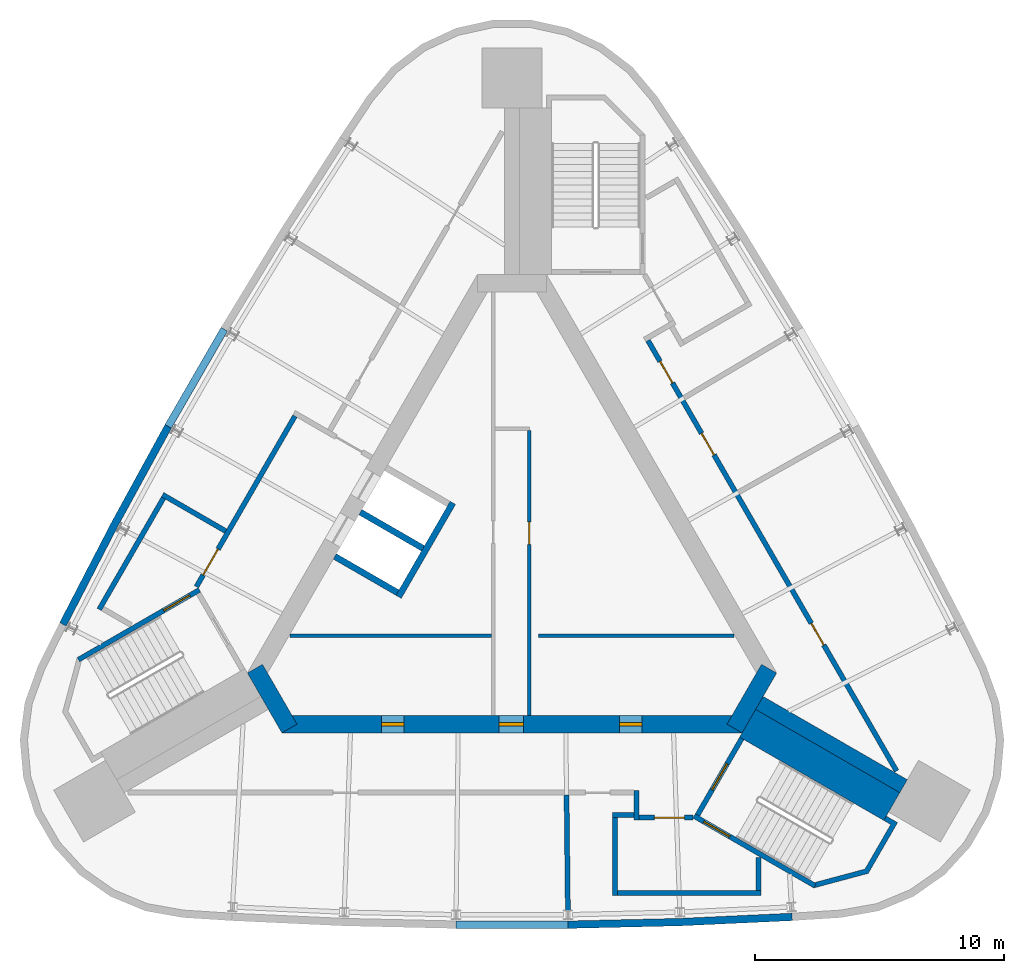
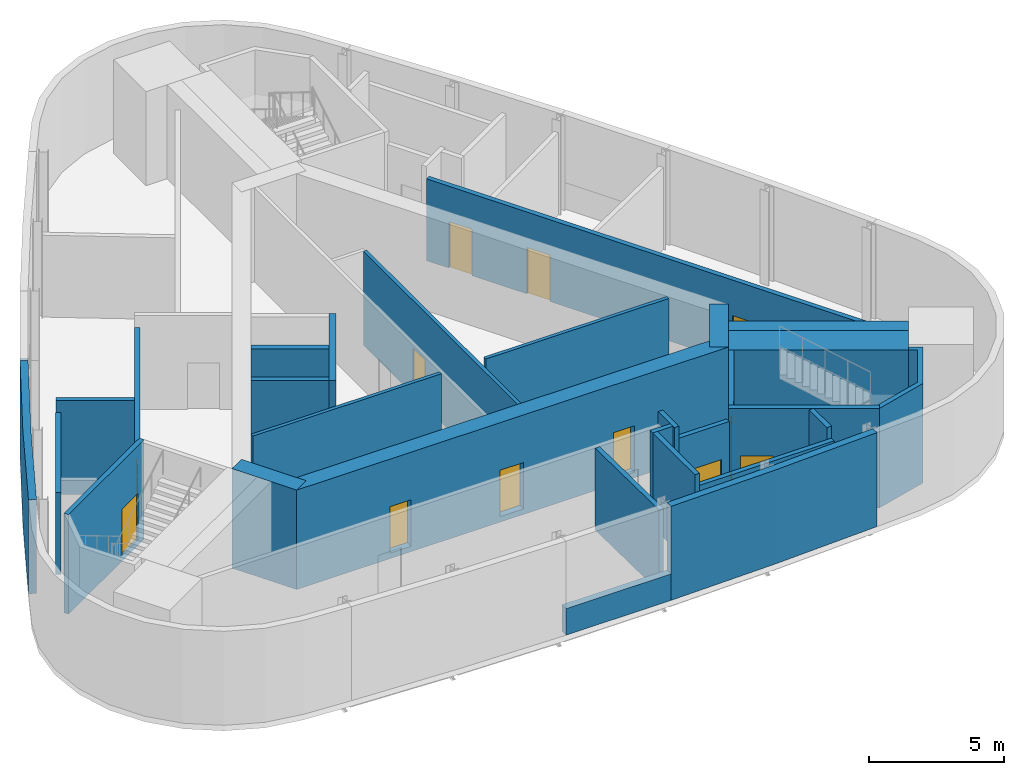
# One storey, part 4 of 7: 30 walls, 12 doors, 12 openings.
"""IFC4 building model written with IfcOpenShell, lengths in metres."""

from ifc_helpers import new_model, si_unit, direction, frame, frame_2d, origin, place, context, subcontext, project, spatial, polyline, rectangle, outline, extrude, material, layer, layer_set, type_object, element, fill, save


model = new_model("IFC4")

# Units and contexts
model_context = context("Model", 3, precision=1e-05, world=origin(), true_north=direction((0.0, 1.0)))
body_context = subcontext(model_context, "Body", "Model", "MODEL_VIEW")
ifc_project = project(units=[si_unit("LENGTHUNIT", "METRE"), si_unit("AREAUNIT", "SQUARE_METRE"), si_unit("VOLUMEUNIT", "CUBIC_METRE"), si_unit("PLANEANGLEUNIT", "RADIAN"), si_unit("MASSUNIT", "GRAM", prefix="KILO")], contexts=[model_context])

# Site, building, storey
site_placement = place(None, origin())
site = spatial("IfcSite", under=ifc_project, at=site_placement, CompositionType="ELEMENT")
building_placement = place(site_placement, origin())
building = spatial("IfcBuilding", under=site, at=building_placement, Name="Noor Cloister Tower", CompositionType="ELEMENT")
storey_placement = place(building_placement, frame((0.0, 0.0, 302.10009765625)))
storey = spatial("IfcBuildingStorey", under=building, at=storey_placement, Name="L76", CompositionType="ELEMENT", Elevation=302.10009765625)

# Walls
ifc_material_1 = material(Name="Concrete C50/60", Category="concrete")
ifc_layer_1 = layer(ifc_material_1, 0.60009765625)
ifc_layer_set_1 = layer_set([ifc_layer_1], Name="Buttress wall 600 C50/60")
wall_type_1 = type_object("IfcWallType", Name="Buttress wall 600 C50/60", PredefinedType="SHEAR", material=ifc_layer_set_1)
wall_1_placement = place(storey_placement, frame((9.921630859375, -5.728271484375, -0.25), z_axis=(0.0, 0.0, 1.0), x_axis=(0.866032176823, -0.499988268569, 0.0)))
element("IfcWall", 1, at=wall_1_placement, inside=storey, type_object=wall_type_1, Name="Buttress wall SE L76", PredefinedType="SHEAR", context=body_context, shape_type="SweptSolid", body=[
    extrude(rectangle(XDim=6.678466796875, YDim=0.60009765625, at=frame_2d((3.33935546875, 0.0))), origin(), (0.0, 0.0, 1.0), 4.5),
])
ifc_material_2 = material(Name="Concrete C30/37", Category="concrete")
ifc_layer_2 = layer(ifc_material_2, 0.14990234375)
ifc_layer_set_2 = layer_set([ifc_layer_2], Name="Core partition 150 C30/37")
wall_type_2 = type_object("IfcWallType", Name="Core partition 150 C30/37", PredefinedType="PARTITIONING", material=ifc_layer_set_2)
wall_2_placement = place(storey_placement, frame((-8.89501953125, -3.0283203125, 0.0), z_axis=(0.0, 0.0, 1.0), x_axis=(1.0, 0.0, 0.0)))
element("IfcWall", 2, at=wall_2_placement, inside=storey, type_object=wall_type_2, Name="Core room partition L76 1", PredefinedType="PARTITIONING", context=body_context, shape_type="SweptSolid", body=[
    extrude(rectangle(XDim=8.06640625, YDim=0.14990234375, at=frame_2d((4.033203125, 0.0))), origin(), (0.0, 0.0, 1.0), 4.25),
])

# Wall, opening, door
wall_3_placement = place(storey_placement, frame((0.6962890625, 5.19677734375, 0.0), z_axis=(0.0, 0.0, 1.0), x_axis=(0.0, -1.0, 0.0)))
wall_3 = element("IfcWall", 3, at=wall_3_placement, inside=storey, type_object=wall_type_2, Name="Core room partition L76 4", PredefinedType="PARTITIONING", context=body_context, shape_type="SweptSolid", body=[
    extrude(rectangle(XDim=11.425048828125, YDim=0.14990234375, at=frame_2d((5.71240234375, 0.0))), origin(), (0.0, 0.0, 1.0), 4.25),
])
opening_1_placement = place(wall_3_placement, frame((3.66357421875, 0.0, 0.0)))
opening_1 = element("IfcOpeningElement", 4, at=opening_1_placement, cuts=wall_3, Name="Opening L76-905", PredefinedType="OPENING", context=body_context, shape_type="SweptSolid", body=[
    extrude(rectangle(XDim=0.89990234375, YDim=2.10009765625, at=frame_2d((0.449951171875, 1.050048828125))), frame((0.0, 0.0849609375, 0.0), z_axis=(0.0, -1.0, 0.0), x_axis=(1.0, 0.0, 0.0)), (0.0, 0.0, 1.0), 0.169921875),
])
ifc_material_3 = material(Name="Steel", Category="steel")
door_type_1 = type_object("IfcDoorType", Name="Core door 900 x 2100 FD60", OperationType="SINGLE_SWING_LEFT", PredefinedType="DOOR", material=ifc_material_3)
door_1_placement = place(opening_1_placement, origin())
door_1 = element("IfcDoor", 5, at=door_1_placement, inside=storey, type_object=door_type_1, Name="Core door 5 L76", OperationType="SINGLE_SWING_LEFT", OverallHeight=2.10009765625, OverallWidth=0.89990234375, PredefinedType="DOOR", context=body_context, shape_type="SweptSolid", body=[
    extrude(rectangle(XDim=0.89990234375, YDim=2.10009765625, at=frame_2d((0.449951171875, 1.050048828125))), frame((0.0, 0.02490234375, 0.0), z_axis=(0.0, -1.0, 0.0), x_axis=(1.0, 0.0, 0.0)), (0.0, 0.0, 1.0), 0.050048828125),
])
fill(opening_1, door_1)

# Wall
wall_4_placement = place(storey_placement, frame((1.0712890625, -3.0283203125, 0.0), z_axis=(0.0, 0.0, 1.0), x_axis=(1.0, 0.0, 0.0)))
element("IfcWall", 6, at=wall_4_placement, inside=storey, type_object=wall_type_2, Name="Core room partition L76 5", PredefinedType="PARTITIONING", context=body_context, shape_type="SweptSolid", body=[
    extrude(rectangle(XDim=7.82373046875, YDim=0.14990234375, at=frame_2d((3.911865234375, 0.0))), origin(), (0.0, 0.0, 1.0), 4.25),
])

# Wall, openings, doors
ifc_material_4 = material(Name="Concrete C50/60", Category="concrete")
ifc_layer_3 = layer(ifc_material_4, 0.699951171875)
ifc_layer_set_3 = layer_set([ifc_layer_3], Name="Core wall 700 C50/60")
wall_type_3 = type_object("IfcWallType", Name="Core wall 700 C50/60", PredefinedType="SHEAR", material=ifc_layer_set_3)
wall_5_placement = place(storey_placement, frame((-9.228759765625, -6.578125, -0.25), z_axis=(0.0, 0.0, 1.0), x_axis=(1.0, 0.0, 0.0)))
wall_5 = element("IfcWall", 7, at=wall_5_placement, inside=storey, type_object=wall_type_3, Name="Core wall L76 1", PredefinedType="SHEAR", context=body_context, shape_type="SweptSolid", body=[
    extrude(rectangle(XDim=18.45751953125, YDim=0.699951171875, at=frame_2d((9.228759765625, 0.0))), origin(), (0.0, 0.0, 1.0), 4.5),
])
opening_2_placement = place(wall_5_placement, frame((8.699951171875, 0.0, 0.25)))
opening_2 = element("IfcOpeningElement", 8, at=opening_2_placement, cuts=wall_5, Name="Opening L76-901", PredefinedType="OPENING", context=body_context, shape_type="SweptSolid", body=[
    extrude(rectangle(XDim=1.0, YDim=2.10009765625, at=frame_2d((0.5, 1.050048828125))), frame((0.0, 0.35986328125, 0.0), z_axis=(0.0, -1.0, 0.0), x_axis=(1.0, 0.0, 0.0)), (0.0, 0.0, 1.0), 0.719970703125),
])
opening_3_placement = place(wall_5_placement, frame((3.989501953125, 0.0, 0.25)))
opening_3 = element("IfcOpeningElement", 9, at=opening_3_placement, cuts=wall_5, Name="Opening L76-902", PredefinedType="OPENING", context=body_context, shape_type="SweptSolid", body=[
    extrude(rectangle(XDim=0.89990234375, YDim=2.10009765625, at=frame_2d((0.449951171875, 1.050048828125))), frame((0.0, 0.35986328125, 0.0), z_axis=(0.0, -1.0, 0.0), x_axis=(1.0, 0.0, 0.0)), (0.0, 0.0, 1.0), 0.719970703125),
])
opening_4_placement = place(wall_5_placement, frame((13.539306640625, 0.0, 0.25)))
opening_4 = element("IfcOpeningElement", 10, at=opening_4_placement, cuts=wall_5, Name="Opening L76-903", PredefinedType="OPENING", context=body_context, shape_type="SweptSolid", body=[
    extrude(rectangle(XDim=0.89990234375, YDim=2.10009765625, at=frame_2d((0.449951171875, 1.050048828125))), frame((0.0, 0.35986328125, 0.0), z_axis=(0.0, -1.0, 0.0), x_axis=(1.0, 0.0, 0.0)), (0.0, 0.0, 1.0), 0.719970703125),
])
ifc_material_5 = material(Name="Steel", Category="steel")
door_type_2 = type_object("IfcDoorType", Name="Core door 1000 x 2100 FD120", OperationType="SINGLE_SWING_LEFT", PredefinedType="DOOR", material=ifc_material_5)
door_2_placement = place(opening_2_placement, origin())
door_2 = element("IfcDoor", 11, at=door_2_placement, inside=storey, type_object=door_type_2, Name="Core door 1 L76", OperationType="SINGLE_SWING_LEFT", OverallHeight=2.10009765625, OverallWidth=1.0, PredefinedType="DOOR", context=body_context, shape_type="SweptSolid", body=[
    extrude(rectangle(XDim=1.0, YDim=2.10009765625, at=frame_2d((0.5, 1.050048828125))), frame((0.0, 0.074951171875, 0.0), z_axis=(0.0, -1.0, 0.0), x_axis=(1.0, 0.0, 0.0)), (0.0, 0.0, 1.0), 0.14990234375),
])
fill(opening_2, door_2)
ifc_material_6 = material(Name="Steel", Category="steel")
door_type_3 = type_object("IfcDoorType", Name="Core door 900 x 2100 FD120", OperationType="SINGLE_SWING_LEFT", PredefinedType="DOOR", material=ifc_material_6)
door_3_placement = place(opening_3_placement, origin())
door_3 = element("IfcDoor", 12, at=door_3_placement, inside=storey, type_object=door_type_3, Name="Core door 2 L76", OperationType="SINGLE_SWING_RIGHT", OverallHeight=2.10009765625, OverallWidth=0.89990234375, PredefinedType="DOOR", context=body_context, shape_type="SweptSolid", body=[
    extrude(rectangle(XDim=0.89990234375, YDim=2.10009765625, at=frame_2d((0.449951171875, 1.050048828125))), frame((0.0, 0.074951171875, 0.0), z_axis=(0.0, -1.0, 0.0), x_axis=(1.0, 0.0, 0.0)), (0.0, 0.0, 1.0), 0.14990234375),
])
fill(opening_3, door_3)
door_4_placement = place(opening_4_placement, origin())
door_4 = element("IfcDoor", 13, at=door_4_placement, inside=storey, type_object=door_type_1, Name="Core door 3 L76", OperationType="SINGLE_SWING_LEFT", OverallHeight=2.10009765625, OverallWidth=0.89990234375, PredefinedType="DOOR", context=body_context, shape_type="SweptSolid", body=[
    extrude(rectangle(XDim=0.89990234375, YDim=2.10009765625, at=frame_2d((0.449951171875, 1.050048828125))), frame((0.0, 0.074951171875, 0.0), z_axis=(0.0, -1.0, 0.0), x_axis=(1.0, 0.0, 0.0)), (0.0, 0.0, 1.0), 0.14990234375),
])
fill(opening_4, door_4)

# Walls
for number, where, z_axis, x_axis, name in (
    (14, (8.925537109375, -6.753173828125, -0.25), (0.0, 0.0, 1.0), (0.500042739161, 0.866000726912, 0.0), "Core wall L76 2"),
    (15, (-10.311279296875, -4.353271484375, -0.25), (0.0, 0.0, 1.0), (0.500042739161, -0.866000726912, 0.0), "Core wall L76 6"),
):
    element("IfcWall", number, at=place(storey_placement, frame(where, z_axis=z_axis, x_axis=x_axis)), inside=storey, type_object=wall_type_3, Name=name, PredefinedType="SHEAR", context=body_context, shape_type="SweptSolid", body=[
        extrude(rectangle(XDim=2.771240234375, YDim=0.699951171875, at=frame_2d((1.3857421875, 0.0))), origin(), (0.0, 0.0, 1.0), 4.5),
    ])
ifc_material_7 = material(Name="Limestone", Category="masonry")
ifc_layer_4 = layer(ifc_material_7, 0.300048828125)
ifc_layer_set_4 = layer_set([ifc_layer_4], Name="Limestone panel wall 300")
wall_type_4 = type_object("IfcWallType", Name="Limestone panel wall 300", PredefinedType="NOTDEFINED", material=ifc_layer_set_4)
wall_6_placement = place(storey_placement, origin())
element("IfcWall", 16, at=wall_6_placement, inside=storey, type_object=wall_type_4, Name="Limestone crown wall L76 1b", PredefinedType="NOTDEFINED", context=body_context, shape_type="SweptSolid", body=[
    extrude(outline(polyline([(-13.919189453125, 5.438232421875), (-16.078125, 1.489990234375), (-18.14501953125, -2.507080078125), (-17.87841796875, -2.644775390625), (-15.813232421875, 1.34912109375), (-13.656005859375, 5.294189453125), (-13.919189453125, 5.438232421875)])), origin(), (0.0, 0.0, 1.0), 4.25),
])
wall_7_placement = place(storey_placement, origin())
element("IfcWall", 17, at=wall_7_placement, inside=storey, type_object=wall_type_4, Name="Limestone crown wall L76 1 lower", PredefinedType="NOTDEFINED", context=body_context, shape_type="SweptSolid", body=[
    extrude(outline(polyline([(-11.669189453125, 9.335205078125), (-13.919189453125, 5.438232421875), (-13.659423828125, 5.288330078125), (-11.409423828125, 9.185302734375), (-11.669189453125, 9.335205078125)])), origin(), (0.0, 0.0, 1.0), 1.199951171875),
])
wall_8_placement = place(storey_placement, origin())
element("IfcWall", 18, at=wall_8_placement, inside=storey, type_object=wall_type_4, Name="Limestone crown wall L76 2b", PredefinedType="NOTDEFINED", context=body_context, shape_type="SweptSolid", body=[
    extrude(outline(polyline([(2.25, -14.7734375), (6.74853515625, -14.669189453125), (11.24365234375, -14.46044921875), (11.229736328125, -14.160888671875), (6.73828125, -14.369384765625), (2.242919921875, -14.4736328125), (2.25, -14.7734375)])), origin(), (0.0, 0.0, 1.0), 4.25),
])
wall_9_placement = place(storey_placement, origin())
element("IfcWall", 19, at=wall_9_placement, inside=storey, type_object=wall_type_4, Name="Limestone crown wall L76 2 lower", PredefinedType="NOTDEFINED", context=body_context, shape_type="SweptSolid", body=[
    extrude(outline(polyline([(-2.25, -14.7734375), (2.25, -14.7734375), (2.25, -14.473388671875), (-2.25, -14.473388671875), (-2.25, -14.7734375)])), origin(), (0.0, 0.0, 1.0), 1.199951171875),
])
ifc_material_8 = material(Name="Concrete C50/60", Category="concrete")
ifc_layer_5 = layer(ifc_material_8, 0.25)
ifc_layer_set_5 = layer_set([ifc_layer_5], Name="Shaft wall 250 C50/60")
wall_type_5 = type_object("IfcWallType", Name="Shaft wall 250 C50/60", PredefinedType="PARTITIONING", material=ifc_layer_set_5)
for number, where, z_axis, x_axis, name in (
    (20, (-6.081298828125, 1.92333984375, -0.25), (0.0, 0.0, 1.0), (0.866032775405, -0.499987231761, 0.0), "Lift shaft wall L76 NW 4"),
    (21, (-7.106201171875, 0.14794921875, -0.25), (0.0, 0.0, 1.0), (0.866032775405, -0.499987231761, 0.0), "Lift shaft wall L76 NW 5"),
):
    element("IfcWall", number, at=place(storey_placement, frame(where, z_axis=z_axis, x_axis=x_axis)), inside=storey, type_object=wall_type_5, Name=name, PredefinedType="PARTITIONING", context=body_context, shape_type="SweptSolid", body=[
        extrude(rectangle(XDim=2.89990234375, YDim=0.25, at=frame_2d((1.449951171875, 0.0))), origin(), (0.0, 0.0, 1.0), 4.5),
    ])
wall_10_placement = place(storey_placement, frame((-2.3740234375, 2.29443359375, 0.0), z_axis=(0.0, 0.0, 1.0), x_axis=(-0.499996127374, -0.866027639635, 0.0)))
element("IfcWall", 22, at=wall_10_placement, inside=storey, type_object=wall_type_5, Name="Lift shaft back wall L76 NW", PredefinedType="PARTITIONING", context=body_context, shape_type="SweptSolid", body=[
    extrude(rectangle(XDim=4.35009765625, YDim=0.25, at=frame_2d((2.175048828125, 0.0))), origin(), (0.0, 0.0, 1.0), 4.25),
])
ifc_material_9 = material(Name="Concrete C50/60", Category="concrete")
ifc_layer_6 = layer(ifc_material_9, 1.285888671875)
ifc_layer_set_6 = layer_set([ifc_layer_6], Name="Stair enclosure wall 1286 C50/60")
wall_type_6 = type_object("IfcWallType", Name="Stair enclosure wall 1286 C50/60", PredefinedType="SHEAR", material=ifc_layer_set_6)
wall_11_placement = place(storey_placement, frame((9.4501953125, -6.544677734375, -0.25), z_axis=(0.0, 0.0, 1.0), x_axis=(0.866016347338, -0.500015685897, 0.0)))
element("IfcWall", 23, at=wall_11_placement, inside=storey, type_object=wall_type_6, Name="Stair enclosure wall ST3 L76 riser side", PredefinedType="SHEAR", context=body_context, shape_type="SweptSolid", body=[
    extrude(rectangle(XDim=6.678466796875, YDim=1.28564453125, at=frame_2d((3.33935546875, 0.0))), origin(), (0.0, 0.0, 1.0), 4.5),
])

# Wall, opening, door
ifc_material_10 = material(Name="Concrete C50/60", Category="concrete")
ifc_layer_7 = layer(ifc_material_10, 0.199951171875)
ifc_layer_set_7 = layer_set([ifc_layer_7], Name="Stair enclosure wall 200 C50/60")
wall_type_7 = type_object("IfcWallType", Name="Stair enclosure wall 200 C50/60", PredefinedType="SHEAR", material=ifc_layer_set_7)
wall_12_placement = place(storey_placement, frame((-12.539306640625, -1.194091796875, -0.25), z_axis=(0.0, 0.0, 1.0), x_axis=(-0.866045472092, -0.499965239061, 0.0)))
wall_12 = element("IfcWall", 24, at=wall_12_placement, inside=storey, type_object=wall_type_7, Name="Stair enclosure wall ST2 L76 outer side", PredefinedType="SHEAR", context=body_context, shape_type="SweptSolid", body=[
    extrude(rectangle(XDim=5.60009765625, YDim=0.199951171875, at=frame_2d((2.800048828125, 0.0))), origin(), (0.0, 0.0, 1.0), 4.5),
])
opening_5_placement = place(wall_12_placement, frame((0.449951171875, 0.0, 0.25)))
opening_5 = element("IfcOpeningElement", 25, at=opening_5_placement, cuts=wall_12, Name="Opening L76-ST2C", PredefinedType="OPENING", context=body_context, shape_type="SweptSolid", body=[
    extrude(rectangle(XDim=1.199951171875, YDim=2.10009765625, at=frame_2d((0.60009765625, 1.050048828125))), frame((0.0, 0.10986328125, 0.0), z_axis=(0.0, -1.0, 0.0), x_axis=(1.0, 0.0, 0.0)), (0.0, 0.0, 1.0), 0.219970703125),
])
ifc_material_11 = material(Name="Steel", Category="steel")
door_type_4 = type_object("IfcDoorType", Name="Stair door 1200 x 2100 FD120", OperationType="SINGLE_SWING_LEFT", PredefinedType="DOOR", material=ifc_material_11)
door_5_placement = place(opening_5_placement, origin())
door_5 = element("IfcDoor", 26, at=door_5_placement, inside=storey, type_object=door_type_4, Name="Stair door ST2 L76", OperationType="SINGLE_SWING_LEFT", OverallHeight=2.10009765625, OverallWidth=1.199951171875, PredefinedType="DOOR", context=body_context, shape_type="SweptSolid", body=[
    extrude(rectangle(XDim=1.199951171875, YDim=2.10009765625, at=frame_2d((0.60009765625, 1.050048828125))), frame((0.0, 0.02490234375, 0.0), z_axis=(0.0, -1.0, 0.0), x_axis=(1.0, 0.0, 0.0)), (0.0, 0.0, 1.0), 0.050048828125),
])
fill(opening_5, door_5)

wall_13_placement = place(storey_placement, frame((7.440185546875, -10.225830078125, -0.25), z_axis=(0.0, 0.0, 1.0), x_axis=(0.500022077904, 0.866012656725, 0.0)))
wall_13 = element("IfcWall", 27, at=wall_13_placement, inside=storey, type_object=wall_type_7, Name="Stair enclosure wall ST3 L76 near end", PredefinedType="SHEAR", context=body_context, shape_type="SweptSolid", body=[
    extrude(rectangle(XDim=3.550048828125, YDim=0.199951171875, at=frame_2d((1.77490234375, 0.0))), origin(), (0.0, 0.0, 1.0), 4.5),
])
opening_6_placement = place(wall_13_placement, frame((1.175048828125, 0.0, 0.25)))
opening_6 = element("IfcOpeningElement", 28, at=opening_6_placement, cuts=wall_13, Name="Opening L76-ST3L", PredefinedType="OPENING", context=body_context, shape_type="SweptSolid", body=[
    extrude(rectangle(XDim=1.199951171875, YDim=2.10009765625, at=frame_2d((0.60009765625, 1.050048828125))), frame((0.0, 0.10986328125, 0.0), z_axis=(0.0, -1.0, 0.0), x_axis=(1.0, 0.0, 0.0)), (0.0, 0.0, 1.0), 0.219970703125),
])
door_6_placement = place(opening_6_placement, origin())
door_6 = element("IfcDoor", 29, at=door_6_placement, inside=storey, type_object=door_type_4, Name="Stair door ST3 L76", OperationType="SINGLE_SWING_RIGHT", OverallHeight=2.10009765625, OverallWidth=1.199951171875, PredefinedType="DOOR", context=body_context, shape_type="SweptSolid", body=[
    extrude(rectangle(XDim=1.199951171875, YDim=2.10009765625, at=frame_2d((0.60009765625, 1.050048828125))), frame((0.0, 0.02490234375, 0.0), z_axis=(0.0, -1.0, 0.0), x_axis=(1.0, 0.0, 0.0)), (0.0, 0.0, 1.0), 0.050048828125),
])
fill(opening_6, door_6)

wall_14_placement = place(storey_placement, frame((7.3037109375, -10.262451171875, -0.25), z_axis=(0.0, 0.0, 1.0), x_axis=(0.866026594901, -0.49999793692, 0.0)))
wall_14 = element("IfcWall", 30, at=wall_14_placement, inside=storey, type_object=wall_type_7, Name="Stair enclosure wall ST3 L76 outer side", PredefinedType="SHEAR", context=body_context, shape_type="SweptSolid", body=[
    extrude(rectangle(XDim=5.60009765625, YDim=0.199951171875, at=frame_2d((2.800048828125, 0.0))), origin(), (0.0, 0.0, 1.0), 4.5),
])
opening_7_placement = place(wall_14_placement, frame((0.449951171875, 0.0, 0.25)))
opening_7 = element("IfcOpeningElement", 31, at=opening_7_placement, cuts=wall_14, Name="Opening L76-ST3C", PredefinedType="OPENING", context=body_context, shape_type="SweptSolid", body=[
    extrude(rectangle(XDim=1.199951171875, YDim=2.10009765625, at=frame_2d((0.60009765625, 1.050048828125))), frame((0.0, 0.10986328125, 0.0), z_axis=(0.0, -1.0, 0.0), x_axis=(1.0, 0.0, 0.0)), (0.0, 0.0, 1.0), 0.219970703125),
])
door_7_placement = place(opening_7_placement, origin())
door_7 = element("IfcDoor", 32, at=door_7_placement, inside=storey, type_object=door_type_4, Name="Stair door ST3 L76", OperationType="SINGLE_SWING_LEFT", OverallHeight=2.10009765625, OverallWidth=1.199951171875, PredefinedType="DOOR", context=body_context, shape_type="SweptSolid", body=[
    extrude(rectangle(XDim=1.199951171875, YDim=2.10009765625, at=frame_2d((0.60009765625, 1.050048828125))), frame((0.0, 0.02490234375, 0.0), z_axis=(0.0, -1.0, 0.0), x_axis=(1.0, 0.0, 0.0)), (0.0, 0.0, 1.0), 0.050048828125),
])
fill(opening_7, door_7)

# Walls
ifc_material_12 = material(Name="Concrete C50/60", Category="concrete")
wall_type_8 = type_object("IfcWallType", Name="Stair far end wall C50/60", PredefinedType="SHEAR", material=ifc_material_12)
wall_15_placement = place(storey_placement, frame((0.0, 0.0, -0.25)))
element("IfcWall", 33, at=wall_15_placement, inside=storey, type_object=wall_type_8, Name="Stair enclosure wall ST3 L76 far end", PredefinedType="SHEAR", context=body_context, shape_type="SweptSolid", body=[
    extrude(outline(polyline([(12.103515625, -13.14892578125), (14.2890625, -12.5634765625), (15.464111328125, -10.5283203125), (15.0126953125, -10.267578125), (14.91259765625, -10.440673828125), (15.19091796875, -10.601318359375), (14.1572265625, -12.3916015625), (12.131591796875, -12.934326171875), (12.20361328125, -12.975830078125), (12.20361328125, -12.975830078125), (12.20361328125, -12.975830078125), (12.20361328125, -12.975830078125), (12.20361328125, -12.975830078125), (12.20361328125, -12.975830078125), (12.20361328125, -12.975830078125), (12.20361328125, -12.975830078125), (12.20361328125, -12.975830078125), (12.20361328125, -12.975830078125), (12.20361328125, -12.975830078125), (12.20361328125, -12.975830078125), (12.20361328125, -12.975830078125), (12.20361328125, -12.975830078125), (12.20361328125, -12.975830078125), (12.20361328125, -12.975830078125), (12.20361328125, -12.975830078125), (12.103515625, -13.14892578125)])), origin(), (0.0, 0.0, 1.0), 4.5),
])
ifc_material_13 = material(Name="Concrete block wall, 200 mm", Category="concrete")
ifc_layer_8 = layer(ifc_material_13, 0.199951171875)
ifc_layer_set_8 = layer_set([ifc_layer_8], Name="Upper floor plant room wall 200")
wall_type_9 = type_object("IfcWallType", Name="Upper floor plant room wall 200", PredefinedType="PARTITIONING", material=ifc_layer_set_8)
wall_16_placement = place(storey_placement, frame((-14.012939453125, 2.62451171875, 0.0), z_axis=(0.0, 0.0, 1.0), x_axis=(0.866026830048, -0.499997529631, 0.0)))
element("IfcWall", 34, at=wall_16_placement, inside=storey, type_object=wall_type_9, Name="Upper floor plant room wall 200 L76 002", PredefinedType="PARTITIONING", context=body_context, shape_type="SweptSolid", body=[
    extrude(rectangle(XDim=2.91943359375, YDim=0.199951171875, at=frame_2d((1.459716796875, 0.0))), origin(), (0.0, 0.0, 1.0), 4.25),
])

# Wall, opening, door
wall_17_placement = place(storey_placement, frame((-12.657958984375, -1.06787109375, 0.0), z_axis=(0.0, 0.0, 1.0), x_axis=(0.499996073327, 0.866027670838, 0.0)))
wall_17 = element("IfcWall", 35, at=wall_17_placement, inside=storey, type_object=wall_type_9, Name="Upper floor plant room wall 200 L76 003", PredefinedType="PARTITIONING", context=body_context, shape_type="SweptSolid", body=[
    extrude(rectangle(XDim=7.90380859375, YDim=0.199951171875, at=frame_2d((3.951904296875, 0.0))), origin(), (0.0, 0.0, 1.0), 3.701904296875),
])
opening_8_placement = place(wall_17_placement, frame((0.54052734375, 0.0, 0.0)))
opening_8 = element("IfcOpeningElement", 36, at=opening_8_placement, cuts=wall_17, Name="Opening L76-004", PredefinedType="OPENING", context=body_context, shape_type="SweptSolid", body=[
    extrude(rectangle(XDim=1.199951171875, YDim=2.10009765625, at=frame_2d((0.60009765625, 1.050048828125))), frame((0.0, 0.10986328125, 0.0), z_axis=(0.0, -1.0, 0.0), x_axis=(1.0, 0.0, 0.0)), (0.0, 0.0, 1.0), 0.219970703125),
])
ifc_material_14 = material(Name="Timber door leaf with steel frame", Category="steel")
door_type_5 = type_object("IfcDoorType", Name="Protected lobby door 1200", OperationType="NOTDEFINED", PredefinedType="DOOR", material=ifc_material_14)
door_8_placement = place(opening_8_placement, origin())
door_8 = element("IfcDoor", 37, at=door_8_placement, inside=storey, type_object=door_type_5, Name="Protected lobby door 1200 L76-004", OperationType="SINGLE_SWING_LEFT", OverallHeight=2.10009765625, OverallWidth=1.199951171875, PredefinedType="DOOR", context=body_context, shape_type="SweptSolid", body=[
    extrude(rectangle(XDim=1.199951171875, YDim=2.10009765625, at=frame_2d((0.60009765625, 1.050048828125))), frame((0.0, 0.02490234375, 0.0), z_axis=(0.0, -1.0, 0.0), x_axis=(1.0, 0.0, 0.0)), (0.0, 0.0, 1.0), 0.050048828125),
])
fill(opening_8, door_8)

# Walls
wall_18_placement = place(storey_placement, frame((-16.556396484375, -1.97705078125, 0.0), z_axis=(0.0, 0.0, 1.0), x_axis=(0.499983365876, 0.866035007288, 0.0)))
element("IfcWall", 38, at=wall_18_placement, inside=storey, type_object=wall_type_9, Name="Upper floor plant room wall 200 L76 006", PredefinedType="PARTITIONING", context=body_context, shape_type="SweptSolid", body=[
    extrude(rectangle(XDim=5.156982421875, YDim=0.199951171875, at=frame_2d((2.57861328125, 0.0))), origin(), (0.0, 0.0, 1.0), 3.701904296875),
])
wall_19_placement = place(storey_placement, frame((4.03369140625, -10.228271484375, 0.0), z_axis=(0.0, 0.0, 1.0), x_axis=(1.0, 0.0, 0.0)))
element("IfcWall", 39, at=wall_19_placement, inside=storey, type_object=wall_type_9, Name="Upper floor plant room wall 200 L76 008", PredefinedType="PARTITIONING", context=body_context, shape_type="SweptSolid", body=[
    extrude(rectangle(XDim=0.8662109375, YDim=0.199951171875, at=frame_2d((0.43310546875, 0.0))), origin(), (0.0, 0.0, 1.0), 4.25),
])
wall_20_placement = place(storey_placement, frame((5.0, -10.42822265625, 0.0), z_axis=(0.0, 0.0, 1.0), x_axis=(0.0, 1.0, 0.0)))
element("IfcWall", 40, at=wall_20_placement, inside=storey, type_object=wall_type_9, Name="Upper floor plant room wall 200 L76 009", PredefinedType="PARTITIONING", context=body_context, shape_type="SweptSolid", body=[
    extrude(rectangle(XDim=1.197998046875, YDim=0.199951171875, at=frame_2d((0.59912109375, 0.0))), origin(), (0.0, 0.0, 1.0), 4.25),
])

# Wall, opening, door
wall_21_placement = place(storey_placement, frame((5.10009765625, -10.328125, 0.0), z_axis=(0.0, 0.0, 1.0), x_axis=(1.0, 0.0, 0.0)))
wall_21 = element("IfcWall", 41, at=wall_21_placement, inside=storey, type_object=wall_type_9, Name="Upper floor plant room wall 200 L76 010", PredefinedType="PARTITIONING", context=body_context, shape_type="SweptSolid", body=[
    extrude(rectangle(XDim=2.153564453125, YDim=0.199951171875, at=frame_2d((1.07666015625, 0.0))), origin(), (0.0, 0.0, 1.0), 3.701904296875),
])
opening_9_placement = place(wall_21_placement, frame((0.61474609375, 0.0, 0.0)))
opening_9 = element("IfcOpeningElement", 42, at=opening_9_placement, cuts=wall_21, Name="Opening L76-007", PredefinedType="OPENING", context=body_context, shape_type="SweptSolid", body=[
    extrude(rectangle(XDim=1.199951171875, YDim=2.10009765625, at=frame_2d((0.60009765625, 1.050048828125))), frame((0.0, 0.10986328125, 0.0), z_axis=(0.0, -1.0, 0.0), x_axis=(1.0, 0.0, 0.0)), (0.0, 0.0, 1.0), 0.219970703125),
])
door_9_placement = place(opening_9_placement, origin())
door_9 = element("IfcDoor", 43, at=door_9_placement, inside=storey, type_object=door_type_5, Name="Protected lobby door 1200 L76-007", OperationType="SINGLE_SWING_RIGHT", OverallHeight=2.10009765625, OverallWidth=1.199951171875, PredefinedType="DOOR", context=body_context, shape_type="SweptSolid", body=[
    extrude(rectangle(XDim=1.199951171875, YDim=2.10009765625, at=frame_2d((0.60009765625, 1.050048828125))), frame((0.0, 0.02490234375, 0.0), z_axis=(0.0, -1.0, 0.0), x_axis=(1.0, 0.0, 0.0)), (0.0, 0.0, 1.0), 0.050048828125),
])
fill(opening_9, door_9)

# Walls
wall_22_placement = place(storey_placement, frame((2.18798828125, -9.429443359375, 0.0), z_axis=(0.0, 0.0, 1.0), x_axis=(0.011564782234, -0.99993312567, 0.0)))
element("IfcWall", 44, at=wall_22_placement, inside=storey, type_object=wall_type_9, Name="Upper floor plant room wall 200 L76 012", PredefinedType="PARTITIONING", context=body_context, shape_type="SweptSolid", body=[
    extrude(rectangle(XDim=4.644287109375, YDim=0.199951171875, at=frame_2d((2.322265625, 0.0))), origin(), (0.0, 0.0, 1.0), 3.701904296875),
])
wall_23_placement = place(storey_placement, frame((4.133544921875, -10.328125, 0.0), z_axis=(0.0, 0.0, 1.0), x_axis=(0.0, -1.0, 0.0)))
element("IfcWall", 45, at=wall_23_placement, inside=storey, type_object=wall_type_9, Name="Upper floor plant room wall 200 L76 013", PredefinedType="PARTITIONING", context=body_context, shape_type="SweptSolid", body=[
    extrude(rectangle(XDim=3.12158203125, YDim=0.199951171875, at=frame_2d((1.560791015625, 0.0))), origin(), (0.0, 0.0, 1.0), 4.25),
])
wall_24_placement = place(storey_placement, frame((4.233642578125, -13.349853515625, 0.0), z_axis=(0.0, 0.0, 1.0), x_axis=(1.0, 0.0, 0.0)))
element("IfcWall", 46, at=wall_24_placement, inside=storey, type_object=wall_type_9, Name="Upper floor plant room wall 200 L76 014", PredefinedType="PARTITIONING", context=body_context, shape_type="SweptSolid", body=[
    extrude(rectangle(XDim=5.7587890625, YDim=0.199951171875, at=frame_2d((2.87939453125, 0.0))), origin(), (0.0, 0.0, 1.0), 3.701904296875),
])
wall_25_placement = place(storey_placement, frame((9.892578125, -13.249755859375, 0.0), z_axis=(0.0, 0.0, 1.0), x_axis=(0.0, 1.0, 0.0)))
element("IfcWall", 47, at=wall_25_placement, inside=storey, type_object=wall_type_9, Name="Upper floor plant room wall 200 L76 015", PredefinedType="PARTITIONING", context=body_context, shape_type="SweptSolid", body=[
    extrude(rectangle(XDim=1.319580078125, YDim=0.199951171875, at=frame_2d((0.65966796875, 0.0))), origin(), (0.0, 0.0, 1.0), 4.25),
])

# Wall, openings, doors
wall_26_placement = place(storey_placement, frame((5.455322265625, 8.8076171875, 0.0), z_axis=(0.0, 0.0, 1.0), x_axis=(0.499996641012, -0.866027343088, 0.0)))
wall_26 = element("IfcWall", 48, at=wall_26_placement, inside=storey, type_object=wall_type_9, Name="Upper floor plant room wall 200 L76 019", PredefinedType="PARTITIONING", context=body_context, shape_type="SweptSolid", body=[
    extrude(rectangle(XDim=19.937255859375, YDim=0.199951171875, at=frame_2d((9.96875, 0.0))), origin(), (0.0, 0.0, 1.0), 3.701904296875),
])
opening_10_placement = place(wall_26_placement, frame((13.097412109375, 0.0, 0.0)))
opening_10 = element("IfcOpeningElement", 49, at=opening_10_placement, cuts=wall_26, Name="Opening L76-008", PredefinedType="OPENING", context=body_context, shape_type="SweptSolid", body=[
    extrude(rectangle(XDim=1.0, YDim=2.10009765625, at=frame_2d((0.5, 1.050048828125))), frame((0.0, 0.10986328125, 0.0), z_axis=(0.0, -1.0, 0.0), x_axis=(1.0, 0.0, 0.0)), (0.0, 0.0, 1.0), 0.219970703125),
])
opening_11_placement = place(wall_26_placement, frame((4.29736328125, 0.0, 0.0)))
opening_11 = element("IfcOpeningElement", 50, at=opening_11_placement, cuts=wall_26, Name="Opening L76-009", PredefinedType="OPENING", context=body_context, shape_type="SweptSolid", body=[
    extrude(rectangle(XDim=1.0, YDim=2.10009765625, at=frame_2d((0.5, 1.050048828125))), frame((0.0, 0.10986328125, 0.0), z_axis=(0.0, -1.0, 0.0), x_axis=(1.0, 0.0, 0.0)), (0.0, 0.0, 1.0), 0.219970703125),
])
opening_12_placement = place(wall_26_placement, frame((0.963134765625, 0.0, 0.0)))
opening_12 = element("IfcOpeningElement", 51, at=opening_12_placement, cuts=wall_26, Name="Opening L76-010", PredefinedType="OPENING", context=body_context, shape_type="SweptSolid", body=[
    extrude(rectangle(XDim=1.0, YDim=2.10009765625, at=frame_2d((0.5, 1.050048828125))), frame((0.0, 0.10986328125, 0.0), z_axis=(0.0, -1.0, 0.0), x_axis=(1.0, 0.0, 0.0)), (0.0, 0.0, 1.0), 0.219970703125),
])
ifc_material_15 = material(Name="Timber door leaf with steel frame", Category="steel")
door_type_6 = type_object("IfcDoorType", Name="Plant room door 1000", OperationType="NOTDEFINED", PredefinedType="DOOR", material=ifc_material_15)
door_10_placement = place(opening_10_placement, origin())
door_10 = element("IfcDoor", 52, at=door_10_placement, inside=storey, type_object=door_type_6, Name="Plant room door 1000 L76-008", OperationType="SINGLE_SWING_RIGHT", OverallHeight=2.10009765625, OverallWidth=1.0, PredefinedType="DOOR", context=body_context, shape_type="SweptSolid", body=[
    extrude(rectangle(XDim=1.0, YDim=2.10009765625, at=frame_2d((0.5, 1.050048828125))), frame((0.0, 0.02490234375, 0.0), z_axis=(0.0, -1.0, 0.0), x_axis=(1.0, 0.0, 0.0)), (0.0, 0.0, 1.0), 0.050048828125),
])
fill(opening_10, door_10)
door_11_placement = place(opening_11_placement, origin())
door_11 = element("IfcDoor", 53, at=door_11_placement, inside=storey, type_object=door_type_6, Name="Plant room door 1000 L76-009", OperationType="SINGLE_SWING_LEFT", OverallHeight=2.10009765625, OverallWidth=1.0, PredefinedType="DOOR", context=body_context, shape_type="SweptSolid", body=[
    extrude(rectangle(XDim=1.0, YDim=2.10009765625, at=frame_2d((0.5, 1.050048828125))), frame((0.0, 0.02490234375, 0.0), z_axis=(0.0, -1.0, 0.0), x_axis=(1.0, 0.0, 0.0)), (0.0, 0.0, 1.0), 0.050048828125),
])
fill(opening_11, door_11)
door_12_placement = place(opening_12_placement, origin())
door_12 = element("IfcDoor", 54, at=door_12_placement, inside=storey, type_object=door_type_6, Name="Plant room door 1000 L76-010", OperationType="SINGLE_SWING_LEFT", OverallHeight=2.10009765625, OverallWidth=1.0, PredefinedType="DOOR", context=body_context, shape_type="SweptSolid", body=[
    extrude(rectangle(XDim=1.0, YDim=2.10009765625, at=frame_2d((0.5, 1.050048828125))), frame((0.0, 0.02490234375, 0.0), z_axis=(0.0, -1.0, 0.0), x_axis=(1.0, 0.0, 0.0)), (0.0, 0.0, 1.0), 0.050048828125),
])
fill(opening_12, door_12)

save(model, "model.ifc")
